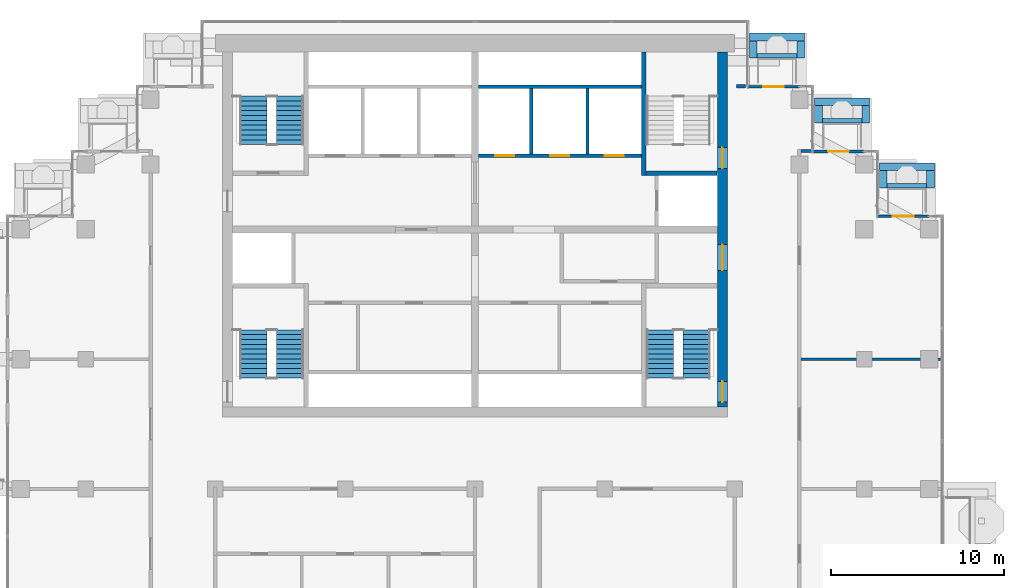
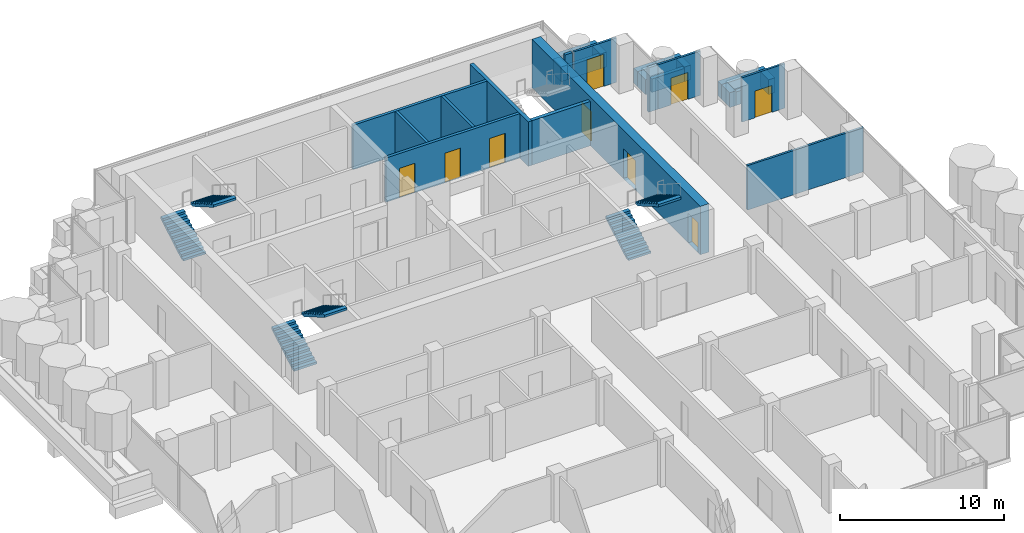
# One storey, part 14 of 18: 25 walls, 9 doors, 6 stair flights, 9 openings, 3 elements without a shape of their own.
"""IFC4 building model written with IfcOpenShell, lengths in metres."""

import ifcopenshell
import ifcopenshell.guid

model = None  # the IFC model being written
_history = None  # IfcOwnerHistory: only IFC2X3 demands one
_inside = {}  # id of a spatial element -> (the spatial element, [elements in it])
_under = {}  # id of a project, library or spatial element -> (it, [spatial elements below it])
_declared = {}  # id of a project -> (the project, [libraries it declares])
_typed = {}  # id of a type object -> (the type object, [elements of that type])
_made_of = {}  # id of a material, layer set ... -> (it, [elements and type objects made of it])


def new_model(schema):
    """Start an empty IFC model of exactly this schema.

    Asked for "IFC4X3", IfcOpenShell would pick the latest addendum, in which some entities
    have other attributes; the version numbers below select the first issue.
    IFC2X3 requires an IfcOwnerHistory on every rooted entity: one is made here for all.
    """
    global model, _history
    if schema == "IFC4X3":
        model = ifcopenshell.file(schema_version=(4, 3, 0, 0))
    else:
        model = ifcopenshell.file(schema=schema)
    _inside.clear()
    _under.clear()
    _declared.clear()
    _typed.clear()
    _made_of.clear()
    _history = None
    if model.schema == "IFC2X3":
        org = make("IfcOrganization", Name="unknown")
        user = make(
            "IfcPersonAndOrganization",
            ThePerson=make("IfcPerson", FamilyName="unknown"),
            TheOrganization=org,
        )
        app = make(
            "IfcApplication",
            ApplicationDeveloper=org,
            Version="unknown",
            ApplicationFullName="unknown",
            ApplicationIdentifier="unknown",
        )
        _history = make(
            "IfcOwnerHistory",
            OwningUser=user,
            OwningApplication=app,
            ChangeAction="ADDED",
            CreationDate=0,
        )
    return model


def make(cls, **values):
    """One entity of the class cls with the attributes given. An attribute that is None is left unset."""
    return model.create_entity(
        cls, **{name: value for name, value in values.items() if value is not None}
    )


def rooted(cls, **values):
    """An entity with a GlobalId (a new one), such as an element, a storey or a relation."""
    return make(cls, GlobalId=ifcopenshell.guid.new(), OwnerHistory=_history, **values)


def si_unit(unit_type, name, prefix=None):
    """IfcSIUnit, for example si_unit("LENGTHUNIT", "METRE", prefix="MILLI")."""
    return make("IfcSIUnit", UnitType=unit_type, Prefix=prefix, Name=name)


def assignment(units):
    """IfcUnitAssignment: the units of a project."""
    return None if units is None else make("IfcUnitAssignment", Units=units)


def point(xyz):
    """IfcCartesianPoint."""
    return None if xyz is None else make("IfcCartesianPoint", Coordinates=xyz)


def direction(xyz):
    """IfcDirection."""
    return None if xyz is None else make("IfcDirection", DirectionRatios=xyz)


def frame(location, z_axis=None, x_axis=None):
    """IfcAxis2Placement3D, a coordinate frame: its origin and axes. An axis left out is left unset."""
    return make(
        "IfcAxis2Placement3D",
        Location=point(location),
        Axis=direction(z_axis),
        RefDirection=direction(x_axis),
    )


def frame_2d(location, x_axis=None):
    """IfcAxis2Placement2D, a coordinate frame in the plane: its origin and x axis."""
    return make(
        "IfcAxis2Placement2D", Location=point(location), RefDirection=direction(x_axis)
    )


def origin():
    """The frame at (0, 0, 0) with its axes left unset."""
    return frame((0.0, 0.0, 0.0))


def place(relative_to, where):
    """IfcLocalPlacement: puts the frame where relative to a parent placement (None: the world)."""
    return make(
        "IfcLocalPlacement", PlacementRelTo=relative_to, RelativePlacement=where
    )


def context(
    kind, dimensions, precision=None, world=None, true_north=None, identifier=None
):
    """IfcGeometricRepresentationContext, for example the 3D "Model" context."""
    return make(
        "IfcGeometricRepresentationContext",
        ContextIdentifier=identifier,
        ContextType=kind,
        CoordinateSpaceDimension=dimensions,
        Precision=precision,
        WorldCoordinateSystem=world,
        TrueNorth=true_north,
    )


def subcontext(parent, identifier, kind, view, scale=None):
    """IfcGeometricRepresentationSubContext, for example "Body" below "Model"."""
    return make(
        "IfcGeometricRepresentationSubContext",
        ContextIdentifier=identifier,
        ContextType=kind,
        ParentContext=parent,
        TargetScale=scale,
        TargetView=view,
    )


def project(units=None, contexts=None):
    """IfcProject with its units and contexts."""
    return rooted(
        "IfcProject",
        Name="project",
        RepresentationContexts=contexts,
        UnitsInContext=assignment(units),
    )


def spatial(cls, under=None, at=None, **own):
    """A site, building, storey or space (cls), placed at a placement, below another one or the project."""
    s = rooted(cls, ObjectPlacement=at, **own)
    if under is not None:
        _under.setdefault(under.id(), (under, []))[1].append(s)
    return s


def polyline(points):
    """IfcPolyline through the points."""
    return make("IfcPolyline", Points=[point(p) for p in points])


def profile(cls, at=None, kind="AREA", **sizes):
    """A parametric profile (cls). Its sizes go by their IFC names, for example OverallWidth=200.0."""
    return make(cls, ProfileType=kind, Position=at, **sizes)


def rectangle(**sizes):
    """IfcRectangleProfileDef."""
    return profile("IfcRectangleProfileDef", **sizes)


def outline(outer, holes=None, kind="AREA"):
    """IfcArbitraryClosedProfileDef: a profile drawn as a closed curve; with holes, ...WithVoids."""
    if holes is None:
        return make("IfcArbitraryClosedProfileDef", ProfileType=kind, OuterCurve=outer)
    return make(
        "IfcArbitraryProfileDefWithVoids",
        ProfileType=kind,
        OuterCurve=outer,
        InnerCurves=holes,
    )


def extrude(swept, where, along, depth):
    """IfcExtrudedAreaSolid: the profile swept, set in the frame where, extruded along a direction by depth."""
    return make(
        "IfcExtrudedAreaSolid",
        SweptArea=swept,
        Position=where,
        ExtrudedDirection=direction(along),
        Depth=depth,
    )


def shape(context_of_items, identifier, shape_type, items):
    """IfcShapeRepresentation: the items that make up one representation, for example the "Body"."""
    return make(
        "IfcShapeRepresentation",
        ContextOfItems=context_of_items,
        RepresentationIdentifier=identifier,
        RepresentationType=shape_type,
        Items=items,
    )


def material(Name=None, Category=None):
    """IfcMaterial."""
    return make("IfcMaterial", Name=Name, Category=Category)


def layer(
    of_material, thickness, ventilated=None, Name=None, Category=None, Priority=None
):
    """IfcMaterialLayer: one layer of a wall or slab, of a material (None: an air gap)."""
    return make(
        "IfcMaterialLayer",
        Material=of_material,
        LayerThickness=thickness,
        IsVentilated=ventilated,
        Name=Name,
        Category=Category,
        Priority=Priority,
    )


def layer_set(layers, Name=None):
    """IfcMaterialLayerSet."""
    return make("IfcMaterialLayerSet", MaterialLayers=layers, LayerSetName=Name)


def made_of(thing, what):
    """Note that an element or type object is made of a material, layer set ...; save() writes the relation."""
    if what is not None:
        _made_of.setdefault(what.id(), (what, []))[1].append(thing)
    return thing


def type_object(cls, material=None, **own):
    """A type object (cls), such as IfcWallType, which elements share."""
    return made_of(rooted(cls, **own), material)


def element(
    cls,
    number,
    at=None,
    inside=None,
    cuts=None,
    type_object=None,
    material=None,
    context=None,
    identifier="Body",
    shape_type=None,
    held_by="IfcProductDefinitionShape",
    body=None,
    shapes=None,
    **own,
):
    """One element of the class cls, such as IfcWall. Its Tag is "e" and its number.

    at: its placement. inside: the storey or other place that contains it. cuts: it is an
    opening in that element (IfcRelVoidsElement). A single representation is given by context,
    identifier, shape_type and body (its items); several are given by shapes. held_by: the class
    of the entity that holds the representations. save() writes the other relations.
    """
    e = rooted(cls, Tag="e%d" % number, ObjectPlacement=at, **own)
    if body is not None:
        shapes = [shape(context, identifier, shape_type, body)]
    if shapes is not None:
        e.Representation = make(held_by, Representations=shapes)
    if inside is not None:
        _inside.setdefault(inside.id(), (inside, []))[1].append(e)
    if cuts is not None:
        rooted(
            "IfcRelVoidsElement", RelatingBuildingElement=cuts, RelatedOpeningElement=e
        )
    if type_object is not None:
        _typed.setdefault(type_object.id(), (type_object, []))[1].append(e)
    return made_of(e, material)


def fill(opening, filler):
    """IfcRelFillsElement: the door or window that sits in an opening."""
    return rooted(
        "IfcRelFillsElement",
        RelatingOpeningElement=opening,
        RelatedBuildingElement=filler,
    )


def aggregate(whole, parts):
    """IfcRelAggregates: a whole, such as a stair, and the parts it consists of."""
    return rooted("IfcRelAggregates", RelatingObject=whole, RelatedObjects=parts)


def save(model, path):
    """Write the relations noted so far, then the file.

    IfcRelAggregates (storeys below a building ...), IfcRelContainedInSpatialStructure (elements
    in a storey), IfcRelDefinesByType, IfcRelAssociatesMaterial and IfcRelDeclares: one each for
    every whole, place, type object, material and project.
    """
    for whole, parts in _under.values():
        aggregate(whole, parts)
    for where, things in _inside.values():
        rooted(
            "IfcRelContainedInSpatialStructure",
            RelatedElements=things,
            RelatingStructure=where,
        )
    for kind, things in _typed.values():
        rooted("IfcRelDefinesByType", RelatedObjects=things, RelatingType=kind)
    for what, things in _made_of.values():
        rooted("IfcRelAssociatesMaterial", RelatedObjects=things, RelatingMaterial=what)
    for by, libraries in _declared.values():
        rooted("IfcRelDeclares", RelatingContext=by, RelatedDefinitions=libraries)
    model.write(path)


model = new_model("IFC4")

# Units and contexts
model_context = context("Model", 3, precision=1e-05, world=origin(), true_north=direction((0.0, 1.0)))
body_context = subcontext(model_context, "Body", "Model", "MODEL_VIEW")
ifc_project = project(units=[si_unit("LENGTHUNIT", "METRE"), si_unit("AREAUNIT", "SQUARE_METRE"), si_unit("VOLUMEUNIT", "CUBIC_METRE"), si_unit("PLANEANGLEUNIT", "RADIAN"), si_unit("MASSUNIT", "GRAM", prefix="KILO")], contexts=[model_context])

# Site, building, storey
site_placement = place(None, origin())
site = spatial("IfcSite", under=ifc_project, at=site_placement, CompositionType="ELEMENT")
building_placement = place(site_placement, origin())
building = spatial("IfcBuilding", under=site, at=building_placement, Name="Pilkhan Gate Tower", CompositionType="ELEMENT")
storey_placement = place(building_placement, frame((0.0, 0.0, 192.300048828125)))
storey = spatial("IfcBuildingStorey", under=building, at=storey_placement, Name="L49", CompositionType="ELEMENT", Elevation=192.300048828125)

# Walls
ifc_material_1 = material(Name="Concrete C40/50", Category="concrete")
ifc_layer_1 = layer(ifc_material_1, 0.25)
ifc_layer_set_1 = layer_set([ifc_layer_1], Name="Balcony planter BP250")
wall_type_1 = type_object("IfcWallType", Name="Balcony planter BP250", PredefinedType="USERDEFINED", material=ifc_layer_set_1)
wall_1_placement = place(storey_placement, frame((91.300048828125, 92.52490234375, 0.0), z_axis=(0.0, 0.0, 1.0), x_axis=(1.0, 0.0, 0.0)))
element("IfcWall", 1, at=wall_1_placement, inside=storey, type_object=wall_type_1, Name="Balcony planter L49 N", ObjectType="BALCONY PLANTER", PredefinedType="USERDEFINED", context=body_context, shape_type="SweptSolid", body=[
    extrude(rectangle(XDim=2.300048828125, YDim=0.25, at=frame_2d((1.14990234375, 0.0))), origin(), (0.0, 0.0, 1.0), 1.0),
])
for number, where, z_axis, x_axis, name in (
    (2, (95.070068359375, 88.77490234375, 0.0), (0.0, 0.0, 1.0), (1.0, 0.0, 0.0), "Balcony planter L49 N"),
    (3, (98.820068359375, 85.02490234375, 0.0), (0.0, 0.0, 1.0), (1.0, 0.0, 0.0), "Balcony planter L49 N"),
):
    element("IfcWall", number, at=place(storey_placement, frame(where, z_axis=z_axis, x_axis=x_axis)), inside=storey, type_object=wall_type_1, Name=name, ObjectType="BALCONY PLANTER", PredefinedType="USERDEFINED", context=body_context, shape_type="SweptSolid", body=[
        extrude(rectangle(XDim=2.280029296875, YDim=0.25, at=frame_2d((1.14013671875, 0.0))), origin(), (0.0, 0.0, 1.0), 1.0),
    ])
ifc_material_2 = material(Name="Board-marked Concrete C40/50", Category="concrete")
ifc_layer_2 = layer(ifc_material_2, 0.449951171875)
ifc_layer_set_2 = layer_set([ifc_layer_2], Name="Balcony planter lip BL450")
wall_type_2 = type_object("IfcWallType", Name="Balcony planter lip BL450", PredefinedType="USERDEFINED", material=ifc_layer_set_2)
wall_2_placement = place(storey_placement, frame((90.85009765625, 93.625, 0.0), z_axis=(0.0, 0.0, 1.0), x_axis=(1.0, 0.0, 0.0)))
element("IfcWall", 4, at=wall_2_placement, inside=storey, type_object=wall_type_2, Name="Balcony planter L49 N", ObjectType="BALCONY PLANTER", PredefinedType="USERDEFINED", context=body_context, shape_type="SweptSolid", body=[
    extrude(rectangle(XDim=3.199951171875, YDim=0.449951171875, at=frame_2d((1.60009765625, 0.0))), origin(), (0.0, 0.0, 1.0), 1.099853515625),
])
for number, where, z_axis, x_axis, name in (
    (5, (91.074951171875, 92.39990234375, 0.0), (0.0, 0.0, 1.0), (0.0, 1.0, 0.0), "Balcony planter L49 N"),
    (6, (93.824951171875, 92.39990234375, 0.0), (0.0, 0.0, 1.0), (0.0, 1.0, 0.0), "Balcony planter L49 N"),
):
    element("IfcWall", number, at=place(storey_placement, frame(where, z_axis=z_axis, x_axis=x_axis)), inside=storey, type_object=wall_type_2, Name=name, ObjectType="BALCONY PLANTER", PredefinedType="USERDEFINED", context=body_context, shape_type="SweptSolid", body=[
        extrude(rectangle(XDim=1.0, YDim=0.449951171875, at=frame_2d((0.5, 0.0))), origin(), (0.0, 0.0, 1.0), 1.099853515625),
    ])
wall_3_placement = place(storey_placement, frame((94.6201171875, 89.875, 0.0), z_axis=(0.0, 0.0, 1.0), x_axis=(1.0, 0.0, 0.0)))
element("IfcWall", 7, at=wall_3_placement, inside=storey, type_object=wall_type_2, Name="Balcony planter L49 N", ObjectType="BALCONY PLANTER", PredefinedType="USERDEFINED", context=body_context, shape_type="SweptSolid", body=[
    extrude(rectangle(XDim=3.179931640625, YDim=0.449951171875, at=frame_2d((1.58984375, 0.0))), origin(), (0.0, 0.0, 1.0), 1.099853515625),
])
for number, where, z_axis, x_axis, name in (
    (8, (94.844970703125, 88.64990234375, 0.0), (0.0, 0.0, 1.0), (0.0, 1.0, 0.0), "Balcony planter L49 N"),
    (9, (97.574951171875, 88.64990234375, 0.0), (0.0, 0.0, 1.0), (0.0, 1.0, 0.0), "Balcony planter L49 N"),
):
    element("IfcWall", number, at=place(storey_placement, frame(where, z_axis=z_axis, x_axis=x_axis)), inside=storey, type_object=wall_type_2, Name=name, ObjectType="BALCONY PLANTER", PredefinedType="USERDEFINED", context=body_context, shape_type="SweptSolid", body=[
        extrude(rectangle(XDim=1.0, YDim=0.449951171875, at=frame_2d((0.5, 0.0))), origin(), (0.0, 0.0, 1.0), 1.099853515625),
    ])
wall_4_placement = place(storey_placement, frame((98.3701171875, 86.125, 0.0), z_axis=(0.0, 0.0, 1.0), x_axis=(1.0, 0.0, 0.0)))
element("IfcWall", 10, at=wall_4_placement, inside=storey, type_object=wall_type_2, Name="Balcony planter L49 N", ObjectType="BALCONY PLANTER", PredefinedType="USERDEFINED", context=body_context, shape_type="SweptSolid", body=[
    extrude(rectangle(XDim=3.179931640625, YDim=0.449951171875, at=frame_2d((1.58984375, 0.0))), origin(), (0.0, 0.0, 1.0), 1.099853515625),
])
for number, where, z_axis, x_axis, name in (
    (11, (98.594970703125, 84.89990234375, 0.0), (0.0, 0.0, 1.0), (0.0, 1.0, 0.0), "Balcony planter L49 N"),
    (12, (101.324951171875, 84.89990234375, 0.0), (0.0, 0.0, 1.0), (0.0, 1.0, 0.0), "Balcony planter L49 N"),
):
    element("IfcWall", number, at=place(storey_placement, frame(where, z_axis=z_axis, x_axis=x_axis)), inside=storey, type_object=wall_type_2, Name=name, ObjectType="BALCONY PLANTER", PredefinedType="USERDEFINED", context=body_context, shape_type="SweptSolid", body=[
        extrude(rectangle(XDim=1.0, YDim=0.449951171875, at=frame_2d((0.5, 0.0))), origin(), (0.0, 0.0, 1.0), 1.099853515625),
    ])

# Wall, openings, doors
ifc_material_3 = material(Name="Concrete C50/60", Category="concrete")
ifc_layer_3 = layer(ifc_material_3, 0.60009765625)
ifc_layer_set_3 = layer_set([ifc_layer_3], Name="Core wall CW600 C50/60")
wall_type_3 = type_object("IfcWallType", Name="Core wall CW600 C50/60", PredefinedType="SHEAR", material=ifc_layer_set_3)
wall_5_placement = place(storey_placement, frame((89.300048828125, 72.25, 0.0), z_axis=(0.0, 0.0, 1.0), x_axis=(0.0, 1.0, 0.0)))
wall_5 = element("IfcWall", 13, at=wall_5_placement, inside=storey, type_object=wall_type_3, Name="Core wall E L49", PredefinedType="SHEAR", context=body_context, shape_type="SweptSolid", body=[
    extrude(rectangle(XDim=20.5, YDim=0.60009765625, at=frame_2d((10.25, 0.0))), origin(), (0.0, 0.0, 1.0), 3.599853515625),
])
opening_1_placement = place(wall_5_placement, frame((0.27490234375, 0.0, 0.0)))
opening_1 = element("IfcOpeningElement", 14, at=opening_1_placement, cuts=wall_5, Name="Opening L49-03", PredefinedType="OPENING", context=body_context, shape_type="SweptSolid", body=[
    extrude(rectangle(XDim=1.199951171875, YDim=2.199951171875, at=frame_2d((0.60009765625, 1.10009765625))), frame((0.0, 0.31005859375, 0.0), z_axis=(0.0, -1.0, 0.0), x_axis=(1.0, 0.0, 0.0)), (0.0, 0.0, 1.0), 0.6201171875),
])
opening_2_placement = place(wall_5_placement, frame((13.77490234375, 0.0, 0.0)))
opening_2 = element("IfcOpeningElement", 15, at=opening_2_placement, cuts=wall_5, Name="Opening L49-05", PredefinedType="OPENING", context=body_context, shape_type="SweptSolid", body=[
    extrude(rectangle(XDim=1.199951171875, YDim=2.199951171875, at=frame_2d((0.60009765625, 1.10009765625))), frame((0.0, 0.31005859375, 0.0), z_axis=(0.0, -1.0, 0.0), x_axis=(1.0, 0.0, 0.0)), (0.0, 0.0, 1.0), 0.6201171875),
])
opening_3_placement = place(wall_5_placement, frame((7.875, 0.0, 0.0)))
opening_3 = element("IfcOpeningElement", 16, at=opening_3_placement, cuts=wall_5, Name="Opening L49-06", PredefinedType="OPENING", context=body_context, shape_type="SweptSolid", body=[
    extrude(rectangle(XDim=1.5, YDim=2.199951171875, at=frame_2d((0.75, 1.10009765625))), frame((0.0, 0.31005859375, 0.0), z_axis=(0.0, -1.0, 0.0), x_axis=(1.0, 0.0, 0.0)), (0.0, 0.0, 1.0), 0.6201171875),
])
ifc_material_4 = material(Name="Steel framed glazed door, 60 minute fire resisting", Category="steel")
door_type_1 = type_object("IfcDoorType", Name="Lobby door D09 1500x2200", OperationType="DOUBLE_DOOR_SINGLE_SWING", PredefinedType="DOOR", material=ifc_material_4)
door_1_placement = place(opening_3_placement, origin())
door_1 = element("IfcDoor", 17, at=door_1_placement, inside=storey, type_object=door_type_1, Name="Core door", OperationType="DOUBLE_DOOR_SINGLE_SWING", OverallHeight=2.199951171875, OverallWidth=1.5, PredefinedType="DOOR", context=body_context, shape_type="SweptSolid", body=[
    extrude(rectangle(XDim=1.5, YDim=2.199951171875, at=frame_2d((0.75, 1.10009765625))), frame((0.0, 0.02490234375, 0.0), z_axis=(0.0, -1.0, 0.0), x_axis=(1.0, 0.0, 0.0)), (0.0, 0.0, 1.0), 0.050048828125),
])
fill(opening_3, door_1)
ifc_material_5 = material(Name="Steel door, 120 minute fire resisting, panic bar", Category="steel")
door_type_2 = type_object("IfcDoorType", Name="Stair door D11 1200x2200", OperationType="SINGLE_SWING_LEFT", PredefinedType="DOOR", material=ifc_material_5)
door_2_placement = place(opening_1_placement, origin())
door_2 = element("IfcDoor", 18, at=door_2_placement, inside=storey, type_object=door_type_2, Name="Stair ST1 door", OperationType="SINGLE_SWING_LEFT", OverallHeight=2.199951171875, OverallWidth=1.199951171875, PredefinedType="DOOR", context=body_context, shape_type="SweptSolid", body=[
    extrude(rectangle(XDim=1.199951171875, YDim=2.199951171875, at=frame_2d((0.60009765625, 1.10009765625))), frame((0.0, 0.02490234375, 0.0), z_axis=(0.0, -1.0, 0.0), x_axis=(1.0, 0.0, 0.0)), (0.0, 0.0, 1.0), 0.050048828125),
])
fill(opening_1, door_2)
door_3_placement = place(opening_2_placement, origin())
door_3 = element("IfcDoor", 19, at=door_3_placement, inside=storey, type_object=door_type_2, Name="Stair ST4 door", OperationType="SINGLE_SWING_LEFT", OverallHeight=2.199951171875, OverallWidth=1.199951171875, PredefinedType="DOOR", context=body_context, shape_type="SweptSolid", body=[
    extrude(rectangle(XDim=1.199951171875, YDim=2.199951171875, at=frame_2d((0.60009765625, 1.10009765625))), frame((0.0, 0.02490234375, 0.0), z_axis=(0.0, -1.0, 0.0), x_axis=(1.0, 0.0, 0.0)), (0.0, 0.0, 1.0), 0.050048828125),
])
fill(opening_2, door_3)

# Walls
ifc_material_6 = material(Name="Dense blockwork", Category="masonry")
ifc_layer_4 = layer(ifc_material_6, 0.199951171875)
ifc_layer_set_4 = layer_set([ifc_layer_4], Name="Corridor wall FW200")
wall_type_4 = type_object("IfcWallType", Name="Corridor wall FW200", PredefinedType="PARTITIONING", material=ifc_layer_set_4)
wall_6_placement = place(storey_placement, frame((93.85009765625, 87.030029296875, 0.0), z_axis=(0.0, 0.0, 1.0), x_axis=(1.0, 0.0, 0.0)))
element("IfcWall", 20, at=wall_6_placement, inside=storey, type_object=wall_type_4, Name="Partition L49", PredefinedType="PARTITIONING", context=body_context, shape_type="SweptSolid", body=[
    extrude(rectangle(XDim=0.639892578125, YDim=0.199951171875, at=frame_2d((0.31982421875, 0.0))), origin(), (0.0, 0.0, 1.0), 3.300048828125),
])
wall_7_placement = place(storey_placement, frame((90.1201171875, 90.764892578125, 0.0), z_axis=(0.0, 0.0, 1.0), x_axis=(1.0, 0.0, 0.0)))
element("IfcWall", 21, at=wall_7_placement, inside=storey, type_object=wall_type_4, Name="Partition L49", PredefinedType="PARTITIONING", context=body_context, shape_type="SweptSolid", body=[
    extrude(rectangle(XDim=0.52490234375, YDim=0.199951171875, at=frame_2d((0.262451171875, 0.0))), origin(), (0.0, 0.0, 1.0), 3.300048828125),
])

# Wall, opening, door
ifc_material_7 = material(Name="Pale anodised aluminium, clear laminated glazing", Category="aluminium")
ifc_layer_5 = layer(ifc_material_7, 0.14990234375)
ifc_layer_set_5 = layer_set([ifc_layer_5], Name="Facade infill wall IW150")
wall_type_5 = type_object("IfcWallType", Name="Facade infill wall IW150", PredefinedType="SOLIDWALL", material=ifc_layer_set_5)
wall_8_placement = place(storey_placement, frame((98.25, 83.25, 0.0), z_axis=(0.0, 0.0, 1.0), x_axis=(1.0, 0.0, 0.0)))
wall_8 = element("IfcWall", 22, at=wall_8_placement, inside=storey, type_object=wall_type_5, Name="Infill wall L49 N", PredefinedType="SOLIDWALL", context=body_context, shape_type="SweptSolid", body=[
    extrude(rectangle(XDim=3.0, YDim=0.14990234375, at=frame_2d((1.5, 0.0))), origin(), (0.0, 0.0, 1.0), 3.300048828125),
])
opening_4_placement = place(wall_8_placement, frame((0.89990234375, 0.0, 0.0)))
opening_4 = element("IfcOpeningElement", 23, at=opening_4_placement, cuts=wall_8, Name="Opening D1L", PredefinedType="OPENING", context=body_context, shape_type="SweptSolid", body=[
    extrude(rectangle(XDim=1.199951171875, YDim=2.0, at=frame_2d((0.60009765625, 1.0))), frame((0.0, 0.0849609375, 0.0), z_axis=(0.0, -1.0, 0.0), x_axis=(1.0, 0.0, 0.0)), (0.0, 0.0, 1.0), 0.169921875),
])
ifc_material_8 = material(Name="Pale anodised aluminium, clear glazing", Category="aluminium")
door_type_3 = type_object("IfcDoorType", Name="Balcony door D1L 1200x2000", OperationType="SINGLE_SWING_LEFT", PredefinedType="DOOR", material=ifc_material_8)
door_4_placement = place(opening_4_placement, origin())
door_4 = element("IfcDoor", 24, at=door_4_placement, inside=storey, type_object=door_type_3, Name="Balcony door L49", OperationType="SINGLE_SWING_LEFT", OverallHeight=2.0, OverallWidth=1.199951171875, PredefinedType="DOOR", context=body_context, shape_type="SweptSolid", body=[
    extrude(rectangle(XDim=1.199951171875, YDim=2.0, at=frame_2d((0.60009765625, 1.0))), frame((0.0, 0.02490234375, 0.0), z_axis=(0.0, -1.0, 0.0), x_axis=(1.0, 0.0, 0.0)), (0.0, 0.0, 1.0), 0.050048828125),
])
fill(opening_4, door_4)

wall_9_placement = place(storey_placement, frame((94.5, 87.0, 0.0), z_axis=(0.0, 0.0, 1.0), x_axis=(1.0, 0.0, 0.0)))
wall_9 = element("IfcWall", 25, at=wall_9_placement, inside=storey, type_object=wall_type_5, Name="Infill wall L49 N", PredefinedType="SOLIDWALL", context=body_context, shape_type="SweptSolid", body=[
    extrude(rectangle(XDim=3.0, YDim=0.14990234375, at=frame_2d((1.5, 0.0))), origin(), (0.0, 0.0, 1.0), 3.300048828125),
])
opening_5_placement = place(wall_9_placement, frame((0.89990234375, 0.0, 0.0)))
opening_5 = element("IfcOpeningElement", 26, at=opening_5_placement, cuts=wall_9, Name="Opening D1L", PredefinedType="OPENING", context=body_context, shape_type="SweptSolid", body=[
    extrude(rectangle(XDim=1.199951171875, YDim=2.0, at=frame_2d((0.60009765625, 1.0))), frame((0.0, 0.0849609375, 0.0), z_axis=(0.0, -1.0, 0.0), x_axis=(1.0, 0.0, 0.0)), (0.0, 0.0, 1.0), 0.169921875),
])
door_5_placement = place(opening_5_placement, origin())
door_5 = element("IfcDoor", 27, at=door_5_placement, inside=storey, type_object=door_type_3, Name="Balcony door L49", OperationType="SINGLE_SWING_LEFT", OverallHeight=2.0, OverallWidth=1.199951171875, PredefinedType="DOOR", context=body_context, shape_type="SweptSolid", body=[
    extrude(rectangle(XDim=1.199951171875, YDim=2.0, at=frame_2d((0.60009765625, 1.0))), frame((0.0, 0.02490234375, 0.0), z_axis=(0.0, -1.0, 0.0), x_axis=(1.0, 0.0, 0.0)), (0.0, 0.0, 1.0), 0.050048828125),
])
fill(opening_5, door_5)

wall_10_placement = place(storey_placement, frame((90.75, 90.75, 0.0), z_axis=(0.0, 0.0, 1.0), x_axis=(1.0, 0.0, 0.0)))
wall_10 = element("IfcWall", 28, at=wall_10_placement, inside=storey, type_object=wall_type_5, Name="Infill wall L49 N", PredefinedType="SOLIDWALL", context=body_context, shape_type="SweptSolid", body=[
    extrude(rectangle(XDim=3.0, YDim=0.14990234375, at=frame_2d((1.5, 0.0))), origin(), (0.0, 0.0, 1.0), 3.300048828125),
])
opening_6_placement = place(wall_10_placement, frame((0.89990234375, 0.0, 0.0)))
opening_6 = element("IfcOpeningElement", 29, at=opening_6_placement, cuts=wall_10, Name="Opening D1", PredefinedType="OPENING", context=body_context, shape_type="SweptSolid", body=[
    extrude(rectangle(XDim=1.199951171875, YDim=2.39990234375, at=frame_2d((0.60009765625, 1.199951171875))), frame((0.0, 0.0849609375, 0.0), z_axis=(0.0, -1.0, 0.0), x_axis=(1.0, 0.0, 0.0)), (0.0, 0.0, 1.0), 0.169921875),
])
door_type_4 = type_object("IfcDoorType", Name="Balcony door D1 1200x2400", OperationType="SINGLE_SWING_LEFT", PredefinedType="DOOR", material=ifc_material_8)
door_6_placement = place(opening_6_placement, origin())
door_6 = element("IfcDoor", 30, at=door_6_placement, inside=storey, type_object=door_type_4, Name="Balcony door L49", OperationType="SINGLE_SWING_LEFT", OverallHeight=2.39990234375, OverallWidth=1.199951171875, PredefinedType="DOOR", context=body_context, shape_type="SweptSolid", body=[
    extrude(rectangle(XDim=1.199951171875, YDim=2.39990234375, at=frame_2d((0.60009765625, 1.199951171875))), frame((0.0, 0.02490234375, 0.0), z_axis=(0.0, -1.0, 0.0), x_axis=(1.0, 0.0, 0.0)), (0.0, 0.0, 1.0), 0.050048828125),
])
fill(opening_6, door_6)

# Wall
ifc_material_9 = material(Name="Blockwork partition, plastered both sides", Category="masonry")
ifc_layer_6 = layer(ifc_material_9, 0.14990234375)
ifc_layer_set_6 = layer_set([ifc_layer_6], Name="Partition PW150")
wall_type_6 = type_object("IfcWallType", Name="Partition PW150", PredefinedType="PARTITIONING", material=ifc_layer_set_6)
wall_11_placement = place(storey_placement, frame((93.85009765625, 75.0, 0.0), z_axis=(0.0, 0.0, 1.0), x_axis=(1.0, 0.0, 0.0)))
element("IfcWall", 31, at=wall_11_placement, inside=storey, type_object=wall_type_6, Name="Partition L49", PredefinedType="PARTITIONING", context=body_context, shape_type="SweptSolid", body=[
    extrude(rectangle(XDim=8.164794921875, YDim=0.14990234375, at=frame_2d((4.08251953125, 0.0))), origin(), (0.0, 0.0, 1.0), 3.300048828125),
])

# Wall, openings, doors
ifc_material_10 = material(Name="Reinforced blockwork shaft wall, 120 minute fire resisting", Category="masonry")
ifc_layer_7 = layer(ifc_material_10, 0.199951171875)
ifc_layer_set_7 = layer_set([ifc_layer_7], Name="Shaft wall SW200")
wall_type_7 = type_object("IfcWallType", Name="Shaft wall SW200", PredefinedType="PARTITIONING", material=ifc_layer_set_7)
wall_12_placement = place(storey_placement, frame((75.2099609375, 86.75, 0.0), z_axis=(0.0, 0.0, 1.0), x_axis=(1.0, 0.0, 0.0)))
wall_12 = element("IfcWall", 32, at=wall_12_placement, inside=storey, type_object=wall_type_7, Name="Partition L49", PredefinedType="PARTITIONING", context=body_context, shape_type="SweptSolid", body=[
    extrude(rectangle(XDim=9.4150390625, YDim=0.199951171875, at=frame_2d((4.70751953125, 0.0))), origin(), (0.0, 0.0, 1.0), 3.300048828125),
])
opening_7_placement = place(wall_12_placement, frame((0.949951171875, 0.0, 0.0)))
opening_7 = element("IfcOpeningElement", 33, at=opening_7_placement, cuts=wall_12, Name="Opening LD", PredefinedType="OPENING", context=body_context, shape_type="SweptSolid", body=[
    extrude(rectangle(XDim=1.10009765625, YDim=2.199951171875, at=frame_2d((0.550048828125, 1.10009765625))), frame((0.0, 0.10986328125, 0.0), z_axis=(0.0, -1.0, 0.0), x_axis=(1.0, 0.0, 0.0)), (0.0, 0.0, 1.0), 0.219970703125),
])
opening_8_placement = place(wall_12_placement, frame((4.139892578125, 0.0, 0.0)))
opening_8 = element("IfcOpeningElement", 34, at=opening_8_placement, cuts=wall_12, Name="Opening LD", PredefinedType="OPENING", context=body_context, shape_type="SweptSolid", body=[
    extrude(rectangle(XDim=1.10009765625, YDim=2.199951171875, at=frame_2d((0.550048828125, 1.10009765625))), frame((0.0, 0.10986328125, 0.0), z_axis=(0.0, -1.0, 0.0), x_axis=(1.0, 0.0, 0.0)), (0.0, 0.0, 1.0), 0.219970703125),
])
opening_9_placement = place(wall_12_placement, frame((7.2900390625, 0.0, 0.0)))
opening_9 = element("IfcOpeningElement", 35, at=opening_9_placement, cuts=wall_12, Name="Opening LD", PredefinedType="OPENING", context=body_context, shape_type="SweptSolid", body=[
    extrude(rectangle(XDim=1.10009765625, YDim=2.199951171875, at=frame_2d((0.550048828125, 1.10009765625))), frame((0.0, 0.10986328125, 0.0), z_axis=(0.0, -1.0, 0.0), x_axis=(1.0, 0.0, 0.0)), (0.0, 0.0, 1.0), 0.219970703125),
])
ifc_material_11 = material(Name="Stainless steel centre-opening landing door, 120 minute fire resisting", Category="steel")
door_type_5 = type_object("IfcDoorType", Name="Lift landing door LD 1100x2200", OperationType="DOUBLE_DOOR_SLIDING", PredefinedType="DOOR", material=ifc_material_11)
door_7_placement = place(opening_7_placement, origin())
door_7 = element("IfcDoor", 36, at=door_7_placement, inside=storey, type_object=door_type_5, Name="Landing door HR1", OperationType="DOUBLE_DOOR_SLIDING", OverallHeight=2.199951171875, OverallWidth=1.10009765625, PredefinedType="DOOR", context=body_context, shape_type="SweptSolid", body=[
    extrude(rectangle(XDim=1.10009765625, YDim=2.199951171875, at=frame_2d((0.550048828125, 1.10009765625))), frame((0.0, 0.02490234375, 0.0), z_axis=(0.0, -1.0, 0.0), x_axis=(1.0, 0.0, 0.0)), (0.0, 0.0, 1.0), 0.050048828125),
])
fill(opening_7, door_7)
door_8_placement = place(opening_8_placement, origin())
door_8 = element("IfcDoor", 37, at=door_8_placement, inside=storey, type_object=door_type_5, Name="Landing door HR2", OperationType="DOUBLE_DOOR_SLIDING", OverallHeight=2.199951171875, OverallWidth=1.10009765625, PredefinedType="DOOR", context=body_context, shape_type="SweptSolid", body=[
    extrude(rectangle(XDim=1.10009765625, YDim=2.199951171875, at=frame_2d((0.550048828125, 1.10009765625))), frame((0.0, 0.02490234375, 0.0), z_axis=(0.0, -1.0, 0.0), x_axis=(1.0, 0.0, 0.0)), (0.0, 0.0, 1.0), 0.050048828125),
])
fill(opening_8, door_8)
door_9_placement = place(opening_9_placement, origin())
door_9 = element("IfcDoor", 38, at=door_9_placement, inside=storey, type_object=door_type_5, Name="Landing door HR3", OperationType="DOUBLE_DOOR_SLIDING", OverallHeight=2.199951171875, OverallWidth=1.10009765625, PredefinedType="DOOR", context=body_context, shape_type="SweptSolid", body=[
    extrude(rectangle(XDim=1.10009765625, YDim=2.199951171875, at=frame_2d((0.550048828125, 1.10009765625))), frame((0.0, 0.02490234375, 0.0), z_axis=(0.0, -1.0, 0.0), x_axis=(1.0, 0.0, 0.0)), (0.0, 0.0, 1.0), 0.050048828125),
])
fill(opening_9, door_9)

# Walls
wall_13_placement = place(storey_placement, frame((75.2099609375, 90.75, 0.0), z_axis=(0.0, 0.0, 1.0), x_axis=(1.0, 0.0, 0.0)))
element("IfcWall", 39, at=wall_13_placement, inside=storey, type_object=wall_type_7, Name="Partition L49", PredefinedType="PARTITIONING", context=body_context, shape_type="SweptSolid", body=[
    extrude(rectangle(XDim=9.4150390625, YDim=0.199951171875, at=frame_2d((4.70751953125, 0.0))), origin(), (0.0, 0.0, 1.0), 3.300048828125),
])
for number, where, z_axis, x_axis, name in (
    (40, (78.25, 86.85009765625, 0.0), (0.0, 0.0, 1.0), (0.0, 1.0, 0.0), "Partition L49"),
    (41, (81.5, 86.85009765625, 0.0), (0.0, 0.0, 1.0), (0.0, 1.0, 0.0), "Partition L49"),
):
    element("IfcWall", number, at=place(storey_placement, frame(where, z_axis=z_axis, x_axis=x_axis)), inside=storey, type_object=wall_type_7, Name=name, PredefinedType="PARTITIONING", context=body_context, shape_type="SweptSolid", body=[
        extrude(rectangle(XDim=3.7998046875, YDim=0.199951171875, at=frame_2d((1.89990234375, 0.0))), origin(), (0.0, 0.0, 1.0), 3.300048828125),
    ])
ifc_material_12 = material(Name="Reinforced blockwork, 120 minute fire resisting", Category="masonry")
ifc_layer_8 = layer(ifc_material_12, 0.25)
ifc_layer_set_8 = layer_set([ifc_layer_8], Name="Stair enclosure wall SE250")
wall_type_8 = type_object("IfcWallType", Name="Stair enclosure wall SE250", PredefinedType="PARTITIONING", material=ifc_layer_set_8)
wall_14_placement = place(storey_placement, frame((84.875, 85.75, 0.0), z_axis=(0.0, 0.0, 1.0), x_axis=(1.0, 0.0, 0.0)))
element("IfcWall", 42, at=wall_14_placement, inside=storey, type_object=wall_type_8, Name="Partition L49", PredefinedType="PARTITIONING", context=body_context, shape_type="SweptSolid", body=[
    extrude(rectangle(XDim=4.114990234375, YDim=0.25, at=frame_2d((2.0576171875, 0.0))), origin(), (0.0, 0.0, 1.0), 3.300048828125),
])
wall_15_placement = place(storey_placement, frame((84.75, 85.625, 0.0), z_axis=(0.0, 0.0, 1.0), x_axis=(0.0, 1.0, 0.0)))
element("IfcWall", 43, at=wall_15_placement, inside=storey, type_object=wall_type_8, Name="Partition L49", PredefinedType="PARTITIONING", context=body_context, shape_type="SweptSolid", body=[
    extrude(rectangle(XDim=7.114990234375, YDim=0.25, at=frame_2d((3.5576171875, 0.0))), origin(), (0.0, 0.0, 1.0), 3.300048828125),
])

# Stair, stair flights
ifc_material_13 = material(Name="Concrete C40/50 precast", Category="concrete")
stair_type_1 = type_object("IfcStairType", Name="Stair ST1 164x280", PredefinedType="HALF_TURN_STAIR", material=ifc_material_13)
stair_1_placement = place(storey_placement, origin())
stair_1 = element("IfcStair", 44, at=stair_1_placement, inside=storey, type_object=stair_type_1, Name="Stair ST1 L49", PredefinedType="HALF_TURN_STAIR")
stair_flight_type_1 = type_object("IfcStairFlightType", Name="Stair flight ST1 164x280x11", PredefinedType="STRAIGHT", material=ifc_material_13)
stair_flight_1_placement = place(storey_placement, frame((85.68994140625, 73.89990234375, 0.0), z_axis=(0.0, 0.0, 1.0), x_axis=(0.0, 1.0, 0.0)))
stair_flight_1 = element("IfcStairFlight", 45, at=stair_flight_1_placement, type_object=stair_flight_type_1, Name="ST1 flight 1", NumberOfRisers=11, NumberOfTreads=10, PredefinedType="STRAIGHT", RiserHeight=0.163636364, TreadLength=0.28, context=body_context, shape_type="SweptSolid", body=[
    extrude(outline(polyline([(0.0, 0.0), (0.0, 0.16357421875), (0.280029296875, 0.16357421875), (0.280029296875, 0.327392578125), (0.56005859375, 0.327392578125), (0.56005859375, 0.490966796875), (0.840087890625, 0.490966796875), (0.840087890625, 0.654541015625), (1.1201171875, 0.654541015625), (1.1201171875, 0.818115234375), (1.39990234375, 0.818115234375), (1.39990234375, 0.98193359375), (1.679931640625, 0.98193359375), (1.679931640625, 1.1455078125), (1.9599609375, 1.1455078125), (1.9599609375, 1.30908203125), (2.239990234375, 1.30908203125), (2.239990234375, 1.47265625), (2.52001953125, 1.47265625), (2.52001953125, 1.636474609375), (2.800048828125, 1.636474609375), (2.800048828125, 1.800048828125), (2.800048828125, 1.462646484375), (0.297119140625, 0.0), (0.0, 0.0)])), frame((0.0, 0.7900390625, 0.0), z_axis=(0.0, -1.0, 0.0), x_axis=(1.0, 0.0, 0.0)), (0.0, 0.0, 1.0), 1.580078125),
])
stair_flight_2_placement = place(storey_placement, frame((87.81005859375, 76.699951171875, 1.800048828125), z_axis=(0.0, 0.0, 1.0), x_axis=(0.0, -1.0, 0.0)))
stair_flight_2 = element("IfcStairFlight", 46, at=stair_flight_2_placement, type_object=stair_flight_type_1, Name="ST1 flight 2", NumberOfRisers=11, NumberOfTreads=10, PredefinedType="STRAIGHT", RiserHeight=0.163636364, TreadLength=0.28, context=body_context, shape_type="SweptSolid", body=[
    extrude(outline(polyline([(0.0, 0.0), (0.0, 0.16357421875), (0.280029296875, 0.16357421875), (0.280029296875, 0.327392578125), (0.56005859375, 0.327392578125), (0.56005859375, 0.490966796875), (0.840087890625, 0.490966796875), (0.840087890625, 0.654541015625), (1.1201171875, 0.654541015625), (1.1201171875, 0.818115234375), (1.39990234375, 0.818115234375), (1.39990234375, 0.98193359375), (1.679931640625, 0.98193359375), (1.679931640625, 1.1455078125), (1.9599609375, 1.1455078125), (1.9599609375, 1.30908203125), (2.239990234375, 1.30908203125), (2.239990234375, 1.47265625), (2.52001953125, 1.47265625), (2.52001953125, 1.636474609375), (2.800048828125, 1.636474609375), (2.800048828125, 1.800048828125), (2.800048828125, 1.462646484375), (0.297119140625, 0.0), (0.0, 0.0)])), frame((0.0, 0.7900390625, 0.0), z_axis=(0.0, -1.0, 0.0), x_axis=(1.0, 0.0, 0.0)), (0.0, 0.0, 1.0), 1.580078125),
])
aggregate(stair_1, [stair_flight_1, stair_flight_2])

stair_type_2 = type_object("IfcStairType", Name="Stair ST2 164x280", PredefinedType="HALF_TURN_STAIR", material=ifc_material_13)
stair_2_placement = place(storey_placement, origin())
stair_2 = element("IfcStair", 47, at=stair_2_placement, inside=storey, type_object=stair_type_2, Name="Stair ST2 L49", PredefinedType="HALF_TURN_STAIR")
stair_flight_type_2 = type_object("IfcStairFlightType", Name="Stair flight ST2 164x280x11", PredefinedType="STRAIGHT", material=ifc_material_13)
stair_flight_3_placement = place(storey_placement, frame((62.18994140625, 73.89990234375, 0.0), z_axis=(0.0, 0.0, 1.0), x_axis=(0.0, 1.0, 0.0)))
stair_flight_3 = element("IfcStairFlight", 48, at=stair_flight_3_placement, type_object=stair_flight_type_2, Name="ST2 flight 1", NumberOfRisers=11, NumberOfTreads=10, PredefinedType="STRAIGHT", RiserHeight=0.163636364, TreadLength=0.28, context=body_context, shape_type="SweptSolid", body=[
    extrude(outline(polyline([(0.0, 0.0), (0.0, 0.16357421875), (0.280029296875, 0.16357421875), (0.280029296875, 0.327392578125), (0.56005859375, 0.327392578125), (0.56005859375, 0.490966796875), (0.840087890625, 0.490966796875), (0.840087890625, 0.654541015625), (1.1201171875, 0.654541015625), (1.1201171875, 0.818115234375), (1.39990234375, 0.818115234375), (1.39990234375, 0.98193359375), (1.679931640625, 0.98193359375), (1.679931640625, 1.1455078125), (1.9599609375, 1.1455078125), (1.9599609375, 1.30908203125), (2.239990234375, 1.30908203125), (2.239990234375, 1.47265625), (2.52001953125, 1.47265625), (2.52001953125, 1.636474609375), (2.800048828125, 1.636474609375), (2.800048828125, 1.800048828125), (2.800048828125, 1.462646484375), (0.297119140625, 0.0), (0.0, 0.0)])), frame((0.0, 0.7900390625, 0.0), z_axis=(0.0, -1.0, 0.0), x_axis=(1.0, 0.0, 0.0)), (0.0, 0.0, 1.0), 1.580078125),
])
stair_flight_4_placement = place(storey_placement, frame((64.31005859375, 76.699951171875, 1.800048828125), z_axis=(0.0, 0.0, 1.0), x_axis=(0.0, -1.0, 0.0)))
stair_flight_4 = element("IfcStairFlight", 49, at=stair_flight_4_placement, type_object=stair_flight_type_2, Name="ST2 flight 2", NumberOfRisers=11, NumberOfTreads=10, PredefinedType="STRAIGHT", RiserHeight=0.163636364, TreadLength=0.28, context=body_context, shape_type="SweptSolid", body=[
    extrude(outline(polyline([(0.0, 0.0), (0.0, 0.16357421875), (0.280029296875, 0.16357421875), (0.280029296875, 0.327392578125), (0.56005859375, 0.327392578125), (0.56005859375, 0.490966796875), (0.840087890625, 0.490966796875), (0.840087890625, 0.654541015625), (1.1201171875, 0.654541015625), (1.1201171875, 0.818115234375), (1.39990234375, 0.818115234375), (1.39990234375, 0.98193359375), (1.679931640625, 0.98193359375), (1.679931640625, 1.1455078125), (1.9599609375, 1.1455078125), (1.9599609375, 1.30908203125), (2.239990234375, 1.30908203125), (2.239990234375, 1.47265625), (2.52001953125, 1.47265625), (2.52001953125, 1.636474609375), (2.800048828125, 1.636474609375), (2.800048828125, 1.800048828125), (2.800048828125, 1.462646484375), (0.297119140625, 0.0), (0.0, 0.0)])), frame((0.0, 0.7900390625, 0.0), z_axis=(0.0, -1.0, 0.0), x_axis=(1.0, 0.0, 0.0)), (0.0, 0.0, 1.0), 1.580078125),
])
aggregate(stair_2, [stair_flight_3, stair_flight_4])

stair_type_3 = type_object("IfcStairType", Name="Stair ST3 164x280", PredefinedType="HALF_TURN_STAIR", material=ifc_material_13)
stair_3_placement = place(storey_placement, origin())
stair_3 = element("IfcStair", 50, at=stair_3_placement, inside=storey, type_object=stair_type_3, Name="Stair ST3 L49", PredefinedType="HALF_TURN_STAIR")
stair_flight_type_3 = type_object("IfcStairFlightType", Name="Stair flight ST3 164x280x11", PredefinedType="STRAIGHT", material=ifc_material_13)
stair_flight_5_placement = place(storey_placement, frame((62.18994140625, 87.39990234375, 0.0), z_axis=(0.0, 0.0, 1.0), x_axis=(0.0, 1.0, 0.0)))
stair_flight_5 = element("IfcStairFlight", 51, at=stair_flight_5_placement, type_object=stair_flight_type_3, Name="ST3 flight 1", NumberOfRisers=11, NumberOfTreads=10, PredefinedType="STRAIGHT", RiserHeight=0.163636364, TreadLength=0.28, context=body_context, shape_type="SweptSolid", body=[
    extrude(outline(polyline([(0.0, 0.0), (0.0, 0.16357421875), (0.280029296875, 0.16357421875), (0.280029296875, 0.327392578125), (0.56005859375, 0.327392578125), (0.56005859375, 0.490966796875), (0.840087890625, 0.490966796875), (0.840087890625, 0.654541015625), (1.1201171875, 0.654541015625), (1.1201171875, 0.818115234375), (1.39990234375, 0.818115234375), (1.39990234375, 0.98193359375), (1.679931640625, 0.98193359375), (1.679931640625, 1.1455078125), (1.9599609375, 1.1455078125), (1.9599609375, 1.30908203125), (2.239990234375, 1.30908203125), (2.239990234375, 1.47265625), (2.52001953125, 1.47265625), (2.52001953125, 1.636474609375), (2.800048828125, 1.636474609375), (2.800048828125, 1.800048828125), (2.800048828125, 1.462646484375), (0.297119140625, 0.0), (0.0, 0.0)])), frame((0.0, 0.7900390625, 0.0), z_axis=(0.0, -1.0, 0.0), x_axis=(1.0, 0.0, 0.0)), (0.0, 0.0, 1.0), 1.580078125),
])
stair_flight_6_placement = place(storey_placement, frame((64.31005859375, 90.199951171875, 1.800048828125), z_axis=(0.0, 0.0, 1.0), x_axis=(0.0, -1.0, 0.0)))
stair_flight_6 = element("IfcStairFlight", 52, at=stair_flight_6_placement, type_object=stair_flight_type_3, Name="ST3 flight 2", NumberOfRisers=11, NumberOfTreads=10, PredefinedType="STRAIGHT", RiserHeight=0.163636364, TreadLength=0.28, context=body_context, shape_type="SweptSolid", body=[
    extrude(outline(polyline([(0.0, 0.0), (0.0, 0.16357421875), (0.280029296875, 0.16357421875), (0.280029296875, 0.327392578125), (0.56005859375, 0.327392578125), (0.56005859375, 0.490966796875), (0.840087890625, 0.490966796875), (0.840087890625, 0.654541015625), (1.1201171875, 0.654541015625), (1.1201171875, 0.818115234375), (1.39990234375, 0.818115234375), (1.39990234375, 0.98193359375), (1.679931640625, 0.98193359375), (1.679931640625, 1.1455078125), (1.9599609375, 1.1455078125), (1.9599609375, 1.30908203125), (2.239990234375, 1.30908203125), (2.239990234375, 1.47265625), (2.52001953125, 1.47265625), (2.52001953125, 1.636474609375), (2.800048828125, 1.636474609375), (2.800048828125, 1.800048828125), (2.800048828125, 1.462646484375), (0.297119140625, 0.0), (0.0, 0.0)])), frame((0.0, 0.7900390625, 0.0), z_axis=(0.0, -1.0, 0.0), x_axis=(1.0, 0.0, 0.0)), (0.0, 0.0, 1.0), 1.580078125),
])
aggregate(stair_3, [stair_flight_5, stair_flight_6])

save(model, "model.ifc")
